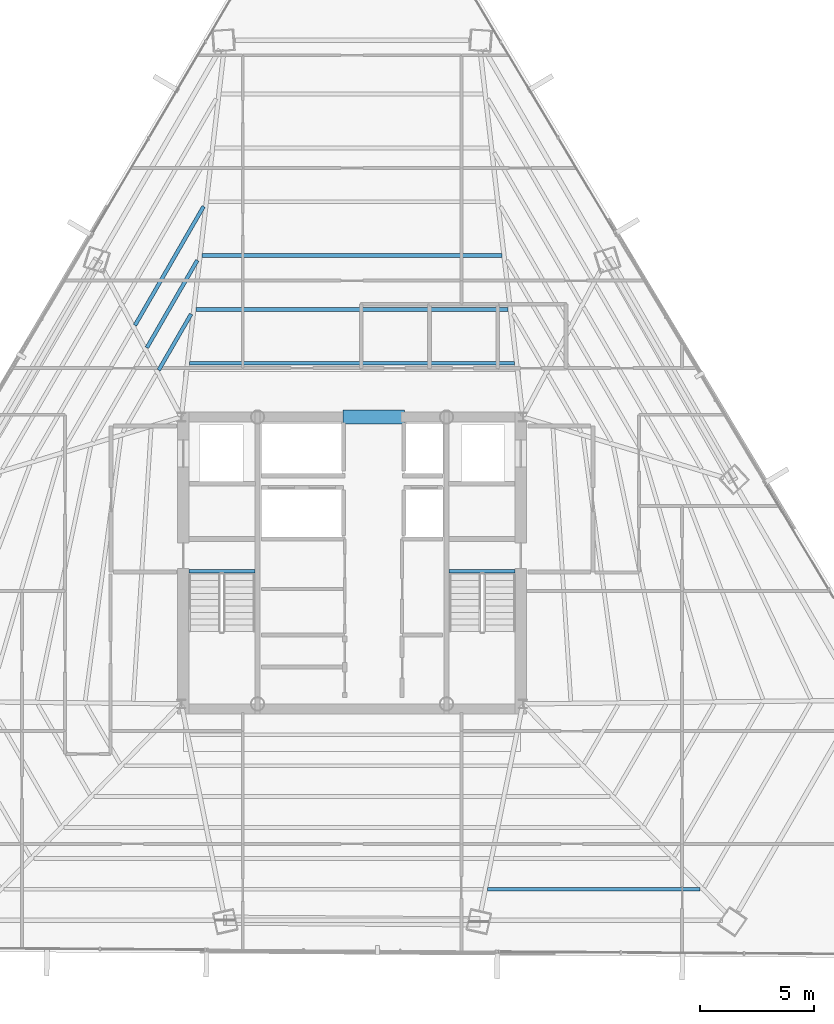
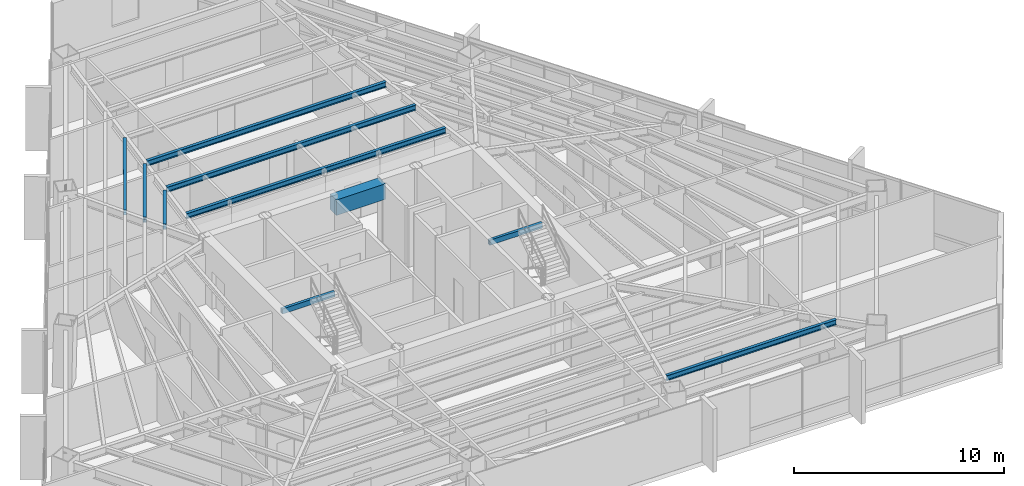
# One storey, part 16 of 41: 10 beams.
"""IFC4 building model written with IfcOpenShell, lengths in metres."""

from ifc_helpers import new_model, si_unit, direction, frame, origin, origin_2d, place, context, subcontext, project, spatial, rectangle, hollow_rectangle, i_section, extrude, source, transform, mapped, material, material_profile, profile_set, type_object, type_shapes, element, save


model = new_model("IFC4")

# Units and contexts
model_context = context("Model", 3, precision=1e-05, world=origin(), true_north=direction((0.0, 1.0)))
body_context = subcontext(model_context, "Body", "Model", "MODEL_VIEW")
ifc_project = project(units=[si_unit("LENGTHUNIT", "METRE"), si_unit("AREAUNIT", "SQUARE_METRE"), si_unit("VOLUMEUNIT", "CUBIC_METRE"), si_unit("PLANEANGLEUNIT", "RADIAN"), si_unit("MASSUNIT", "GRAM", prefix="KILO")], contexts=[model_context])

# Site, building, storey
site_placement = place(None, origin())
site = spatial("IfcSite", under=ifc_project, at=site_placement, CompositionType="ELEMENT")
building_placement = place(site_placement, origin())
building = spatial("IfcBuilding", under=site, at=building_placement, Name="Caelisora Broadcast Tower", CompositionType="ELEMENT")
storey_placement = place(building_placement, frame((0.0, 0.0, 180.39990234375)))
storey = spatial("IfcBuildingStorey", under=building, at=storey_placement, Name="L47", CompositionType="ELEMENT", Elevation=180.39990234375)

# Beams
ifc_material_1 = material(Name="Steel Grade 350 (AS/NZS 1163 C350L0)", Category="steel")
ifc_material_profile_1 = material_profile(ifc_material_1, hollow_rectangle(XDim=0.14990234375, YDim=0.300048828125, WallThickness=0.010009765625, at=origin_2d()), Name="Steel Grade 350 (AS/NZS 1163 C350L0)")
ifc_profile_set_1 = profile_set([ifc_material_profile_1], Name="Steel Grade 350 (AS/NZS 1163 C350L0)")
beam_type_1 = type_object("IfcBeamType", Name="SB05", PredefinedType="JOIST", material=ifc_profile_set_1)
shared_shape_1 = source(origin(), body_context, "Body", "SweptSolid", [
    extrude(hollow_rectangle(XDim=0.14990234375, YDim=0.300048828125, WallThickness=0.010009765625, at=origin_2d()), origin(), (0.0, 0.0, 1.0), 2.89990234375),
])
type_shapes(beam_type_1, [shared_shape_1])
for number, where, z_axis, x_axis, name in (
    (1, (30.840087890625, 23.219970703125, 3.25), (1.0, 0.0, 0.0), (0.0, 1.0, 0.0), "L47 beam SB05"),
    (2, (42.260009765625, 23.219970703125, 3.25), (1.0, 0.0, 0.0), (0.0, 1.0, 0.0), "L47 beam SB05"),
):
    element("IfcBeam", number, at=place(storey_placement, frame(where, z_axis=z_axis, x_axis=x_axis)), inside=storey, type_object=beam_type_1, Name=name, PredefinedType="JOIST", context=body_context, shape_type="MappedRepresentation", body=[
        mapped(shared_shape_1, transform((0.0, 0.0, 0.0), scale=1.0)),
    ])
ifc_material_2 = material(Name="Concrete 50 MPa (AS 3600 S50)", Category="concrete")
ifc_material_profile_2 = material_profile(ifc_material_2, rectangle(XDim=0.60009765625, YDim=0.89990234375, at=origin_2d()), Name="Concrete 50 MPa (AS 3600 S50)")
ifc_profile_set_2 = profile_set([ifc_material_profile_2], Name="Concrete 50 MPa (AS 3600 S50)")
beam_type_2 = type_object("IfcBeamType", Name="CB02", PredefinedType="LINTEL", material=ifc_profile_set_2)
shared_shape_2 = source(origin(), body_context, "Body", "SweptSolid", [
    extrude(rectangle(XDim=0.60009765625, YDim=0.89990234375, at=origin_2d()), origin(), (0.0, 0.0, 1.0), 2.699951171875),
])
type_shapes(beam_type_2, [shared_shape_2])
beam_1_placement = place(storey_placement, frame((37.60009765625, 30.0, 2.9501953125), z_axis=(1.0, 0.0, 0.0), x_axis=(0.0, 1.0, 0.0)))
element("IfcBeam", 3, at=beam_1_placement, inside=storey, type_object=beam_type_2, Name="L47 beam CB02", PredefinedType="LINTEL", context=body_context, shape_type="MappedRepresentation", body=[
    mapped(shared_shape_2, transform((0.0, 0.0, 0.0), scale=1.0)),
])
ifc_material_3 = material(Name="Steel Grade 350 (AS/NZS 3679.1)", Category="steel")
ifc_material_profile_3 = material_profile(ifc_material_3, i_section(OverallWidth=0.166015625, OverallDepth=0.30712890625, WebThickness=0.006591796875, FlangeThickness=0.01171875, at=origin_2d()), Name="Steel Grade 350 (AS/NZS 3679.1)")
ifc_profile_set_3 = profile_set([ifc_material_profile_3], Name="Steel Grade 350 (AS/NZS 3679.1)")
beam_type_3 = type_object("IfcBeamType", Name="SB03", PredefinedType="JOIST", material=ifc_profile_set_3)
shared_shape_3 = source(origin(), body_context, "Body", "SweptSolid", [
    extrude(i_section(OverallWidth=0.166015625, OverallDepth=0.30712890625, WebThickness=0.006591796875, FlangeThickness=0.01171875, at=origin_2d()), origin(), (0.0, 0.0, 1.0), 14.263671875),
])
beam_2_placement = place(storey_placement, frame((45.1318359375, 32.364013671875, 3.24658203125), z_axis=(-1.0, 0.0, 0.0), x_axis=(0.0, -1.0, 0.0)))
element("IfcBeam", 4, at=beam_2_placement, inside=storey, type_object=beam_type_3, Name="L47 beam SB03", PredefinedType="JOIST", context=body_context, shape_type="MappedRepresentation", body=[
    mapped(shared_shape_3, transform((0.0, 0.0, 0.0), scale=1.0)),
])
shared_shape_4 = source(origin(), body_context, "Body", "SweptSolid", [
    extrude(i_section(OverallWidth=0.166015625, OverallDepth=0.30712890625, WebThickness=0.006591796875, FlangeThickness=0.01171875, at=origin_2d()), origin(), (0.0, 0.0, 1.0), 13.71337890625),
])
beam_3_placement = place(storey_placement, frame((44.856689453125, 34.727783203125, 3.24658203125), z_axis=(-1.0, 0.0, 0.0), x_axis=(0.0, -1.0, 0.0)))
element("IfcBeam", 5, at=beam_3_placement, inside=storey, type_object=beam_type_3, Name="L47 beam SB03", PredefinedType="JOIST", context=body_context, shape_type="MappedRepresentation", body=[
    mapped(shared_shape_4, transform((0.0, 0.0, 0.0), scale=1.0)),
])
shared_shape_5 = source(origin(), body_context, "Body", "SweptSolid", [
    extrude(i_section(OverallWidth=0.166015625, OverallDepth=0.30712890625, WebThickness=0.006591796875, FlangeThickness=0.01171875, at=origin_2d()), origin(), (0.0, 0.0, 1.0), 13.1630859375),
])
beam_4_placement = place(storey_placement, frame((44.58154296875, 37.091796875, 3.24658203125), z_axis=(-1.0, 0.0, 0.0), x_axis=(0.0, -1.0, 0.0)))
element("IfcBeam", 6, at=beam_4_placement, inside=storey, type_object=beam_type_3, Name="L47 beam SB03", PredefinedType="JOIST", context=body_context, shape_type="MappedRepresentation", body=[
    mapped(shared_shape_5, transform((0.0, 0.0, 0.0), scale=1.0)),
])
shared_shape_6 = source(origin(), body_context, "Body", "SweptSolid", [
    extrude(i_section(OverallWidth=0.166015625, OverallDepth=0.30712890625, WebThickness=0.006591796875, FlangeThickness=0.01171875, at=origin_2d()), origin(), (0.0, 0.0, 1.0), 2.841064453125),
])
beam_5_placement = place(storey_placement, frame((30.931396484375, 34.52197265625, 3.24658203125), z_axis=(-0.500029902704, -0.866008138762, 0.0), x_axis=(0.866008138762, -0.500029902704, 0.0)))
element("IfcBeam", 7, at=beam_5_placement, inside=storey, type_object=beam_type_3, Name="L47 beam SB03", PredefinedType="JOIST", context=body_context, shape_type="MappedRepresentation", body=[
    mapped(shared_shape_6, transform((0.0, 0.0, 0.0), scale=1.0)),
])
shared_shape_7 = source(origin(), body_context, "Body", "SweptSolid", [
    extrude(i_section(OverallWidth=0.166015625, OverallDepth=0.30712890625, WebThickness=0.006591796875, FlangeThickness=0.01171875, at=origin_2d()), origin(), (0.0, 0.0, 1.0), 4.43505859375),
])
beam_6_placement = place(storey_placement, frame((31.206298828125, 36.8857421875, 3.24658203125), z_axis=(-0.500005184116, -0.866022410713, 0.0), x_axis=(0.866022410713, -0.500005184116, 0.0)))
element("IfcBeam", 8, at=beam_6_placement, inside=storey, type_object=beam_type_3, Name="L47 beam SB03", PredefinedType="JOIST", context=body_context, shape_type="MappedRepresentation", body=[
    mapped(shared_shape_7, transform((0.0, 0.0, 0.0), scale=1.0)),
])
shared_shape_8 = source(origin(), body_context, "Body", "SweptSolid", [
    extrude(i_section(OverallWidth=0.166015625, OverallDepth=0.30712890625, WebThickness=0.006591796875, FlangeThickness=0.01171875, at=origin_2d()), origin(), (0.0, 0.0, 1.0), 6.029541015625),
])
beam_7_placement = place(storey_placement, frame((31.4814453125, 39.249755859375, 3.24658203125), z_axis=(-0.499988837749, -0.866031848217, 0.0), x_axis=(0.866031848217, -0.499988837749, 0.0)))
element("IfcBeam", 9, at=beam_7_placement, inside=storey, type_object=beam_type_3, Name="L47 beam SB03", PredefinedType="JOIST", context=body_context, shape_type="MappedRepresentation", body=[
    mapped(shared_shape_8, transform((0.0, 0.0, 0.0), scale=1.0)),
])
shared_shape_9 = source(origin(), body_context, "Body", "SweptSolid", [
    extrude(i_section(OverallWidth=0.166015625, OverallDepth=0.30712890625, WebThickness=0.006591796875, FlangeThickness=0.01171875, at=origin_2d()), origin(), (0.0, 0.0, 1.0), 9.3408203125),
])
type_shapes(beam_type_3, [shared_shape_3, shared_shape_4, shared_shape_5, shared_shape_6, shared_shape_7, shared_shape_8, shared_shape_9])
beam_8_placement = place(storey_placement, frame((43.948486328125, 9.256103515625, 3.24658203125), z_axis=(1.0, 0.0, 0.0), x_axis=(0.0, 1.0, 0.0)))
element("IfcBeam", 10, at=beam_8_placement, inside=storey, type_object=beam_type_3, Name="L47 beam SB03", PredefinedType="JOIST", context=body_context, shape_type="MappedRepresentation", body=[
    mapped(shared_shape_9, transform((0.0, 0.0, 0.0), scale=1.0)),
])

save(model, "model.ifc")
